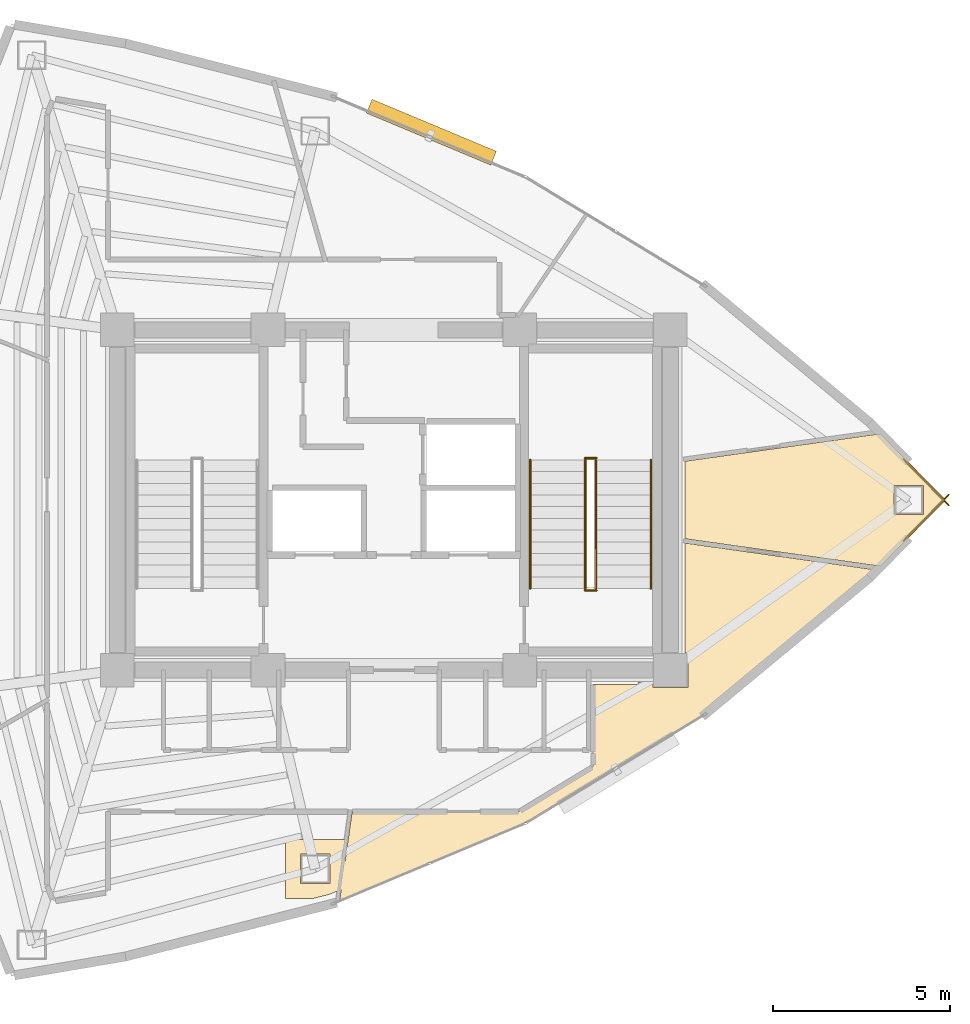
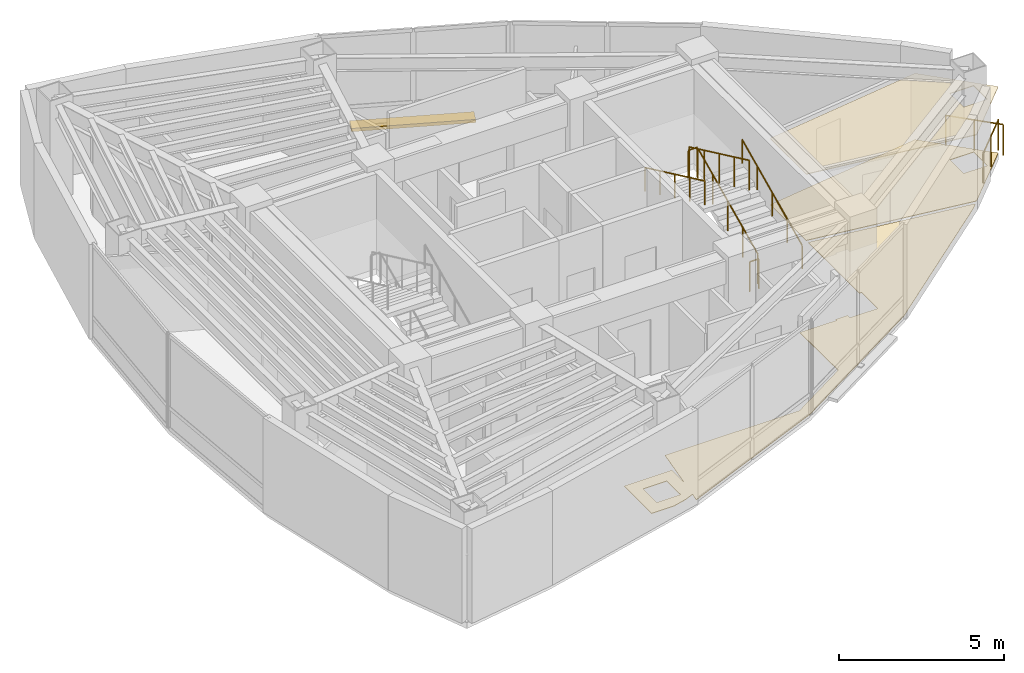
# One storey, part 15 of 15: 8 railings, 3 coverings, 1 shading device.
"""IFC4 building model written with IfcOpenShell, lengths in metres."""

from ifc_helpers import new_model, si_unit, direction, frame, origin, origin_2d, place, context, subcontext, project, spatial, polyline, rectangle, circle, outline, extrude, material, layer, layer_set, type_object, element, save


model = new_model("IFC4")

# Units and contexts
model_context = context("Model", 3, precision=1e-05, world=origin(), true_north=direction((0.0, 1.0)))
body_context = subcontext(model_context, "Body", "Model", "MODEL_VIEW")
ifc_project = project(units=[si_unit("LENGTHUNIT", "METRE"), si_unit("AREAUNIT", "SQUARE_METRE"), si_unit("VOLUMEUNIT", "CUBIC_METRE"), si_unit("PLANEANGLEUNIT", "RADIAN"), si_unit("MASSUNIT", "GRAM", prefix="KILO")], contexts=[model_context])

# Site, building, storey
site_placement = place(None, origin())
site = spatial("IfcSite", under=ifc_project, at=site_placement, CompositionType="ELEMENT")
building_placement = place(site_placement, origin())
building = spatial("IfcBuilding", under=site, at=building_placement, Name="Menara Vayukalpa", CompositionType="ELEMENT")
storey_placement = place(building_placement, frame((0.0, 0.0, 284.340087890625)))
storey = spatial("IfcBuildingStorey", under=building, at=storey_placement, Name="L72", CompositionType="ELEMENT", Elevation=284.340087890625)

# Coverings
ifc_material_1 = material(Name="Mineral Fibre Acoustic Ceiling Tile", Category="masonry")
ifc_layer_1 = layer(ifc_material_1, 0.02490234375)
ifc_layer_set_1 = layer_set([ifc_layer_1], Name="Mineral Fibre Acoustic Ceiling Tile")
covering_type_1 = type_object("IfcCoveringType", Name="COV-CLG1", PredefinedType="CEILING", material=ifc_layer_set_1)
covering_1_placement = place(storey_placement, frame((0.0, 0.0, 2.449951171875)))
element("IfcCovering", 1, at=covering_1_placement, inside=storey, type_object=covering_type_1, Name="L72 Corporate Training Classroom Acoustic Ceiling", PredefinedType="CEILING", context=body_context, shape_type="SweptSolid", body=[
    extrude(outline(polyline([(41.15234375, 22.005615234375), (41.152587890625, 22.004638671875), (41.1533203125, 22.00390625), (41.153564453125, 22.0029296875), (41.15380859375, 22.001953125), (41.15380859375, 22.0009765625), (41.15380859375, 22.0), (41.15380859375, 21.9990234375), (41.15380859375, 21.998046875), (41.153564453125, 21.9970703125), (41.1533203125, 21.99609375), (41.152587890625, 21.995361328125), (41.15234375, 21.994384765625), (41.151611328125, 21.99365234375), (41.15087890625, 21.992919921875), (39.326171875, 20.13427734375), (39.325439453125, 20.133544921875), (39.32470703125, 20.133056640625), (39.32373046875, 20.132568359375), (39.322998046875, 20.132080078125), (39.322021484375, 20.1318359375), (39.321044921875, 20.131591796875), (39.320068359375, 20.13134765625), (39.319091796875, 20.13134765625), (39.318115234375, 20.13134765625), (39.317138671875, 20.131591796875), (39.316162109375, 20.131591796875), (39.310302734375, 20.133544921875), (39.30419921875, 20.134521484375), (33.818603515625, 20.905517578125), (33.817626953125, 20.90576171875), (33.81689453125, 20.906005859375), (33.81591796875, 20.90625), (33.81494140625, 20.90673828125), (33.814208984375, 20.9072265625), (33.8134765625, 20.90771484375), (33.812744140625, 20.908447265625), (33.81201171875, 20.9091796875), (33.8115234375, 20.909912109375), (33.81103515625, 20.910888671875), (33.810791015625, 20.91162109375), (33.810302734375, 20.91259765625), (33.810302734375, 20.91357421875), (33.81005859375, 20.914306640625), (33.81005859375, 20.915283203125), (33.81005859375, 23.084716796875), (33.81005859375, 23.085693359375), (33.810302734375, 23.08642578125), (33.810302734375, 23.08740234375), (33.810791015625, 23.08837890625), (33.81103515625, 23.089111328125), (33.8115234375, 23.090087890625), (33.81201171875, 23.0908203125), (33.812744140625, 23.091552734375), (33.8134765625, 23.09228515625), (33.814208984375, 23.0927734375), (33.81494140625, 23.09326171875), (33.81591796875, 23.09375), (33.81689453125, 23.093994140625), (33.817626953125, 23.09423828125), (33.818603515625, 23.094482421875), (39.30419921875, 23.865478515625), (39.310302734375, 23.866455078125), (39.316162109375, 23.868408203125), (39.317138671875, 23.868408203125), (39.318115234375, 23.86865234375), (39.319091796875, 23.86865234375), (39.320068359375, 23.86865234375), (39.321044921875, 23.868408203125), (39.322021484375, 23.8681640625), (39.322998046875, 23.867919921875), (39.32373046875, 23.867431640625), (39.32470703125, 23.866943359375), (39.325439453125, 23.866455078125), (39.326171875, 23.86572265625), (41.15087890625, 22.007080078125), (41.151611328125, 22.00634765625), (41.15234375, 22.005615234375)]), holes=[polyline([(40.536865234375, 22.4150390625), (39.706787109375, 22.4150390625), (39.706787109375, 21.5849609375), (40.536865234375, 21.5849609375), (40.536865234375, 22.4150390625)])]), origin(), (0.0, 0.0, 1.0), 0.02490234375),
])
ifc_material_2 = material(Name="Porcelain Stoneware Floor Tile", Category="masonry")
ifc_layer_2 = layer(ifc_material_2, 0.02001953125)
ifc_layer_set_2 = layer_set([ifc_layer_2], Name="Porcelain Stoneware Floor Tile")
covering_type_2 = type_object("IfcCoveringType", Name="COV-FLR1", PredefinedType="FLOORING", material=ifc_layer_set_2)
covering_2_placement = place(storey_placement, origin())
element("IfcCovering", 2, at=covering_2_placement, inside=storey, type_object=covering_type_2, Name="L72 Corporate Training Classroom Porcelain Flooring", PredefinedType="FLOORING", context=body_context, shape_type="SweptSolid", body=[
    extrude(outline(polyline([(24.216796875, 12.43017578125), (24.216796875, 11.727783203125), (24.42529296875, 13.21142578125), (24.425537109375, 13.21240234375), (24.42578125, 13.213134765625), (24.42626953125, 13.214111328125), (24.426513671875, 13.215087890625), (24.427001953125, 13.2158203125), (24.427734375, 13.216552734375), (24.428466796875, 13.21728515625), (24.42919921875, 13.218017578125), (24.429931640625, 13.218505859375), (24.4306640625, 13.218994140625), (24.431640625, 13.21923828125), (24.4326171875, 13.219482421875), (24.433349609375, 13.2197265625), (24.434326171875, 13.219970703125), (24.435302734375, 13.219970703125), (29.109619140625, 13.219970703125), (29.11669921875, 13.220458984375), (29.12353515625, 13.221435546875), (29.13037109375, 13.22314453125), (29.13720703125, 13.2255859375), (29.153076171875, 13.232177734375), (29.157958984375, 13.234375), (29.16259765625, 13.237060546875), (31.18603515625, 14.46630859375), (31.1923828125, 14.470458984375), (31.19775390625, 14.47509765625), (31.20263671875, 14.480224609375), (31.20703125, 14.48583984375), (31.2109375, 14.491943359375), (31.214111328125, 14.498291015625), (31.216552734375, 14.5048828125), (31.218505859375, 14.511962890625), (31.219482421875, 14.51904296875), (31.219970703125, 14.5263671875), (31.219970703125, 14.849609375), (31.219482421875, 14.856689453125), (31.21875, 14.86376953125), (31.217041015625, 14.870361328125), (31.214599609375, 14.876708984375), (31.2119140625, 14.8828125), (31.211669921875, 14.883056640625), (31.211181640625, 14.8837890625), (31.210693359375, 14.884765625), (31.21044921875, 14.8857421875), (31.210205078125, 14.88671875), (31.2099609375, 14.8876953125), (31.2099609375, 14.888671875), (31.2099609375, 16.780029296875), (31.2099609375, 16.781005859375), (31.210205078125, 16.781982421875), (31.21044921875, 16.782958984375), (31.210693359375, 16.78369140625), (31.211181640625, 16.78466796875), (31.211669921875, 16.78564453125), (31.21240234375, 16.786376953125), (31.212890625, 16.787109375), (31.213623046875, 16.78759765625), (31.21435546875, 16.788330078125), (31.21533203125, 16.788818359375), (31.21630859375, 16.789306640625), (31.217041015625, 16.78955078125), (31.218017578125, 16.789794921875), (31.218994140625, 16.7900390625), (31.219970703125, 16.7900390625), (32.489990234375, 16.7900390625), (32.489990234375, 16.85009765625), (32.909912109375, 16.85009765625), (32.909912109375, 16.7099609375), (33.889892578125, 16.7099609375), (33.889892578125, 17.68994140625), (33.81005859375, 17.68994140625), (33.81005859375, 20.774169921875), (33.81005859375, 20.775146484375), (33.810302734375, 20.776123046875), (33.810546875, 20.777099609375), (33.810791015625, 20.778076171875), (33.811279296875, 20.77880859375), (33.811767578125, 20.77978515625), (33.8125, 20.780517578125), (33.81298828125, 20.78125), (33.813720703125, 20.781982421875), (33.814697265625, 20.782470703125), (33.8154296875, 20.782958984375), (33.81640625, 20.783447265625), (33.8173828125, 20.78369140625), (33.818359375, 20.783935546875), (33.8193359375, 20.7841796875), (33.8203125, 20.7841796875), (33.8212890625, 20.783935546875), (39.19970703125, 20.028076171875), (39.20068359375, 20.02783203125), (39.201416015625, 20.027587890625), (39.202392578125, 20.027099609375), (39.203369140625, 20.02685546875), (39.2041015625, 20.026123046875), (39.205078125, 20.025634765625), (39.205810546875, 20.02490234375), (39.206298828125, 20.024169921875), (39.206787109375, 20.023193359375), (39.207275390625, 20.022216796875), (39.207763671875, 20.021484375), (39.2080078125, 20.0205078125), (39.2080078125, 20.01953125), (39.208251953125, 20.0185546875), (39.208251953125, 20.017578125), (39.2080078125, 20.0166015625), (39.207763671875, 20.015380859375), (39.20751953125, 20.014404296875), (39.20703125, 20.013671875), (39.20654296875, 20.0126953125), (39.2060546875, 20.011962890625), (39.205322265625, 20.01123046875), (39.021240234375, 19.82373046875), (39.0205078125, 19.822998046875), (34.374755859375, 15.97021484375), (34.37353515625, 15.969482421875), (29.3271484375, 12.904052734375), (29.326416015625, 12.90380859375), (29.32568359375, 12.9033203125), (24.089599609375, 10.713134765625), (24.088623046875, 10.712646484375), (24.087646484375, 10.71240234375), (24.086669921875, 10.71240234375), (24.085693359375, 10.71240234375), (24.084716796875, 10.71240234375), (24.083740234375, 10.71240234375), (24.082763671875, 10.712890625), (24.081787109375, 10.713134765625), (24.080810546875, 10.713623046875), (24.080078125, 10.714111328125), (24.0791015625, 10.714599609375), (24.07861328125, 10.71533203125), (24.077880859375, 10.716064453125), (24.0771484375, 10.717041015625), (24.07666015625, 10.7177734375), (24.076416015625, 10.71875), (24.075927734375, 10.7197265625), (24.07568359375, 10.720703125), (24.07568359375, 10.7216796875), (24.07568359375, 10.72265625), (24.07568359375, 10.7236328125), (24.116943359375, 11.01708984375), (23.7919921875, 10.881103515625), (23.3173828125, 10.76025390625), (22.546875, 10.76025390625), (22.546875, 12.43017578125), (24.216796875, 12.43017578125)]), holes=[polyline([(23.796875, 12.01025390625), (22.966796875, 12.01025390625), (22.966796875, 11.18017578125), (23.796875, 11.18017578125), (23.796875, 12.01025390625)])]), origin(), (0.0, 0.0, 1.0), 0.02001953125),
])
covering_3_placement = place(storey_placement, origin())
element("IfcCovering", 3, at=covering_3_placement, inside=storey, type_object=covering_type_2, Name="L72 Corporate Training Classroom Porcelain Flooring", PredefinedType="FLOORING", context=body_context, shape_type="SweptSolid", body=[
    extrude(outline(polyline([(41.15234375, 22.005615234375), (41.152587890625, 22.004638671875), (41.1533203125, 22.00390625), (41.153564453125, 22.0029296875), (41.15380859375, 22.001953125), (41.15380859375, 22.0009765625), (41.15380859375, 22.0), (41.15380859375, 21.9990234375), (41.15380859375, 21.998046875), (41.153564453125, 21.9970703125), (41.1533203125, 21.99609375), (41.152587890625, 21.995361328125), (41.15234375, 21.994384765625), (41.151611328125, 21.99365234375), (41.15087890625, 21.992919921875), (39.326171875, 20.13427734375), (39.325439453125, 20.133544921875), (39.32470703125, 20.133056640625), (39.32373046875, 20.132568359375), (39.322998046875, 20.132080078125), (39.322021484375, 20.1318359375), (39.321044921875, 20.131591796875), (39.320068359375, 20.13134765625), (39.319091796875, 20.13134765625), (39.318115234375, 20.13134765625), (39.317138671875, 20.131591796875), (39.316162109375, 20.131591796875), (39.310302734375, 20.133544921875), (39.30419921875, 20.134521484375), (33.818603515625, 20.905517578125), (33.817626953125, 20.90576171875), (33.81689453125, 20.906005859375), (33.81591796875, 20.90625), (33.81494140625, 20.90673828125), (33.814208984375, 20.9072265625), (33.8134765625, 20.90771484375), (33.812744140625, 20.908447265625), (33.81201171875, 20.9091796875), (33.8115234375, 20.909912109375), (33.81103515625, 20.910888671875), (33.810791015625, 20.91162109375), (33.810302734375, 20.91259765625), (33.810302734375, 20.91357421875), (33.81005859375, 20.914306640625), (33.81005859375, 20.915283203125), (33.81005859375, 23.084716796875), (33.81005859375, 23.085693359375), (33.810302734375, 23.08642578125), (33.810302734375, 23.08740234375), (33.810791015625, 23.08837890625), (33.81103515625, 23.089111328125), (33.8115234375, 23.090087890625), (33.81201171875, 23.0908203125), (33.812744140625, 23.091552734375), (33.8134765625, 23.09228515625), (33.814208984375, 23.0927734375), (33.81494140625, 23.09326171875), (33.81591796875, 23.09375), (33.81689453125, 23.093994140625), (33.817626953125, 23.09423828125), (33.818603515625, 23.094482421875), (39.30419921875, 23.865478515625), (39.310302734375, 23.866455078125), (39.316162109375, 23.868408203125), (39.317138671875, 23.868408203125), (39.318115234375, 23.86865234375), (39.319091796875, 23.86865234375), (39.320068359375, 23.86865234375), (39.321044921875, 23.868408203125), (39.322021484375, 23.8681640625), (39.322998046875, 23.867919921875), (39.32373046875, 23.867431640625), (39.32470703125, 23.866943359375), (39.325439453125, 23.866455078125), (39.326171875, 23.86572265625), (41.15087890625, 22.007080078125), (41.151611328125, 22.00634765625), (41.15234375, 22.005615234375)]), holes=[polyline([(40.536865234375, 22.4150390625), (39.706787109375, 22.4150390625), (39.706787109375, 21.5849609375), (40.536865234375, 21.5849609375), (40.536865234375, 22.4150390625)])]), origin(), (0.0, 0.0, 1.0), 0.02001953125),
])

# Railings
ifc_material_3 = material(Name="Laminated Glass and Stainless Steel 316 Guardrail", Category="steel")
railing_type_1 = type_object("IfcRailingType", Name="RLG-EXT115", PredefinedType="GUARDRAIL", material=ifc_material_3)
railing_1_placement = place(storey_placement, frame((39.976318359375, 20.853515625, 0.0)))
element("IfcRailing", 4, at=railing_1_placement, inside=storey, type_object=railing_type_1, Name="L72 Column Corner Spandrel Guardrail 01-1", PredefinedType="GUARDRAIL", context=body_context, shape_type="SweptSolid", body=[
    extrude(circle(Radius=0.02392578125, at=origin_2d()), frame((0.0, 0.0, 1.1259765625), z_axis=(0.700555224103, 0.713598190848, 0.0), x_axis=(-0.713598190848, 0.700555224103, 0.0)), (0.0, 0.0, 1.0), 1.815673828125),
    extrude(circle(Radius=0.02099609375, at=origin_2d()), origin(), (0.0, 0.0, 1.0), 1.101806640625),
    extrude(circle(Radius=0.02099609375, at=origin_2d()), frame((0.635986328125, 0.64794921875, 0.0)), (0.0, 0.0, 1.0), 1.101806640625),
    extrude(circle(Radius=0.02099609375, at=origin_2d()), frame((1.27197265625, 1.295654296875, 0.0)), (0.0, 0.0, 1.0), 1.101806640625),
])
railing_2_placement = place(storey_placement, frame((41.248291015625, 21.850830078125, 0.0)))
element("IfcRailing", 5, at=railing_2_placement, inside=storey, type_object=railing_type_1, Name="L72 Column Corner Spandrel Guardrail 02-1", PredefinedType="GUARDRAIL", context=body_context, shape_type="SweptSolid", body=[
    extrude(circle(Radius=0.02392578125, at=origin_2d()), frame((0.0, 0.0, 1.1259765625), z_axis=(-0.700555224103, 0.713598190848, 0.0), x_axis=(-0.713598190848, -0.700555224103, 0.0)), (0.0, 0.0, 1.0), 1.815673828125),
    extrude(circle(Radius=0.02099609375, at=origin_2d()), origin(), (0.0, 0.0, 1.0), 1.101806640625),
    extrude(circle(Radius=0.02099609375, at=origin_2d()), frame((-0.635986328125, 0.64794921875, 0.0)), (0.0, 0.0, 1.0), 1.101806640625),
    extrude(circle(Radius=0.02099609375, at=origin_2d()), frame((-1.27197265625, 1.295654296875, 0.0)), (0.0, 0.0, 1.0), 1.101806640625),
])
ifc_material_4 = material(Name="Powder-Coated Galvanised Steel Guardrail", Category="steel")
railing_type_2 = type_object("IfcRailingType", Name="RLG-STG110", PredefinedType="GUARDRAIL", material=ifc_material_4)
railing_3_placement = place(storey_placement, frame((31.300048828125, 19.5, 0.155029296875)))
element("IfcRailing", 6, at=railing_3_placement, inside=storey, type_object=railing_type_2, Name="L72 ST-2 stair guard 1", PredefinedType="GUARDRAIL", context=body_context, shape_type="SweptSolid", body=[
    extrude(circle(Radius=0.02392578125, at=origin_2d()), frame((0.0, 0.0, 1.09619140625), z_axis=(0.0, 0.90513990983, 0.425113800803), x_axis=(-1.0, 0.0, 0.0)), (0.0, 0.0, 1.0), 4.01025390625),
    extrude(circle(Radius=0.02099609375, at=origin_2d()), origin(), (0.0, 0.0, 1.0), 1.072021484375),
    extrude(circle(Radius=0.02099609375, at=origin_2d()), frame((0.0, 0.907470703125, 0.42626953125)), (0.0, 0.0, 1.0), 1.072021484375),
    extrude(circle(Radius=0.02099609375, at=origin_2d()), frame((0.0, 1.81494140625, 0.8525390625)), (0.0, 0.0, 1.0), 1.072021484375),
    extrude(circle(Radius=0.02099609375, at=origin_2d()), frame((0.0, 2.722412109375, 1.278564453125)), (0.0, 0.0, 1.0), 1.072021484375),
    extrude(circle(Radius=0.02099609375, at=origin_2d()), frame((0.0, 3.6298828125, 1.704833984375)), (0.0, 0.0, 1.0), 1.072021484375),
])
railing_4_placement = place(storey_placement, frame((31.31005859375, 23.179931640625, 1.85986328125)))
element("IfcRailing", 7, at=railing_4_placement, inside=storey, type_object=railing_type_2, Name="L72 ST-2 stair guard 2", PredefinedType="GUARDRAIL", context=body_context, shape_type="SweptSolid", body=[
    extrude(circle(Radius=0.02392578125, at=origin_2d()), frame((0.0, 0.0, 1.09619140625), z_axis=(-1.0, 0.0, 0.0), x_axis=(0.0, -1.0, 0.0)), (0.0, 0.0, 1.0), 0.320068359375),
    extrude(circle(Radius=0.02099609375, at=origin_2d()), origin(), (0.0, 0.0, 1.0), 1.072021484375),
    extrude(circle(Radius=0.02099609375, at=origin_2d()), frame((-0.320068359375, 0.0, 0.0)), (0.0, 0.0, 1.0), 1.072021484375),
])
railing_5_placement = place(storey_placement, frame((31.0, 23.1298828125, 2.014892578125)))
element("IfcRailing", 8, at=railing_5_placement, inside=storey, type_object=railing_type_2, Name="L72 ST-2 stair guard 3", PredefinedType="GUARDRAIL", context=body_context, shape_type="SweptSolid", body=[
    extrude(circle(Radius=0.02392578125, at=origin_2d()), frame((0.0, 0.0, 1.09619140625), z_axis=(0.0, -0.90511648382, 0.425163675209), x_axis=(1.0, 0.0, 0.0)), (0.0, 0.0, 1.0), 4.010498046875),
    extrude(circle(Radius=0.02099609375, at=origin_2d()), origin(), (0.0, 0.0, 1.0), 1.072021484375),
    extrude(circle(Radius=0.02099609375, at=origin_2d()), frame((0.0, -0.907470703125, 0.42626953125)), (0.0, 0.0, 1.0), 1.072021484375),
    extrude(circle(Radius=0.02099609375, at=origin_2d()), frame((0.0, -1.81494140625, 0.8525390625)), (0.0, 0.0, 1.0), 1.072021484375),
    extrude(circle(Radius=0.02099609375, at=origin_2d()), frame((0.0, -2.722412109375, 1.27880859375)), (0.0, 0.0, 1.0), 1.072021484375),
    extrude(circle(Radius=0.02099609375, at=origin_2d()), frame((0.0, -3.6298828125, 1.705078125)), (0.0, 0.0, 1.0), 1.072021484375),
])
railing_6_placement = place(storey_placement, frame((31.31005859375, 19.449951171875, 0.0)))
element("IfcRailing", 9, at=railing_6_placement, inside=storey, type_object=railing_type_2, Name="L72 ST-2 stair guard 4", PredefinedType="GUARDRAIL", context=body_context, shape_type="SweptSolid", body=[
    extrude(circle(Radius=0.02392578125, at=origin_2d()), frame((0.0, 0.0, 1.09619140625), z_axis=(-1.0, 0.0, 0.0), x_axis=(0.0, -1.0, 0.0)), (0.0, 0.0, 1.0), 0.320068359375),
    extrude(circle(Radius=0.02099609375, at=origin_2d()), origin(), (0.0, 0.0, 1.0), 1.072021484375),
    extrude(circle(Radius=0.02099609375, at=origin_2d()), frame((-0.320068359375, 0.0, 0.0)), (0.0, 0.0, 1.0), 1.072021484375),
])
ifc_material_5 = material(Name="Stainless Steel 316 Tubular Handrail", Category="steel")
railing_type_3 = type_object("IfcRailingType", Name="RLG-STH090", PredefinedType="HANDRAIL", material=ifc_material_5)
railing_7_placement = place(storey_placement, frame((32.85009765625, 19.5, 0.155029296875)))
element("IfcRailing", 10, at=railing_7_placement, inside=storey, type_object=railing_type_3, Name="L72 ST-2 stair handrail 1", PredefinedType="HANDRAIL", context=body_context, shape_type="SweptSolid", body=[
    extrude(circle(Radius=0.02392578125, at=origin_2d()), frame((0.0, 0.0, 0.8759765625), z_axis=(0.0, 0.90513990983, 0.425113800803), x_axis=(-1.0, 0.0, 0.0)), (0.0, 0.0, 1.0), 4.01025390625),
    extrude(circle(Radius=0.02099609375, at=origin_2d()), origin(), (0.0, 0.0, 1.0), 0.851806640625),
    extrude(circle(Radius=0.02099609375, at=origin_2d()), frame((0.0, 0.907470703125, 0.42626953125)), (0.0, 0.0, 1.0), 0.851806640625),
    extrude(circle(Radius=0.02099609375, at=origin_2d()), frame((0.0, 1.81494140625, 0.8525390625)), (0.0, 0.0, 1.0), 0.851806640625),
    extrude(circle(Radius=0.02099609375, at=origin_2d()), frame((0.0, 2.722412109375, 1.278564453125)), (0.0, 0.0, 1.0), 0.851806640625),
    extrude(circle(Radius=0.02099609375, at=origin_2d()), frame((0.0, 3.6298828125, 1.704833984375)), (0.0, 0.0, 1.0), 0.851806640625),
])
railing_8_placement = place(storey_placement, frame((29.449951171875, 23.1298828125, 2.014892578125)))
element("IfcRailing", 11, at=railing_8_placement, inside=storey, type_object=railing_type_3, Name="L72 ST-2 stair handrail 2", PredefinedType="HANDRAIL", context=body_context, shape_type="SweptSolid", body=[
    extrude(circle(Radius=0.02392578125, at=origin_2d()), frame((0.0, 0.0, 0.8759765625), z_axis=(0.0, -0.90511648382, 0.425163675209), x_axis=(1.0, 0.0, 0.0)), (0.0, 0.0, 1.0), 4.010498046875),
    extrude(circle(Radius=0.02099609375, at=origin_2d()), origin(), (0.0, 0.0, 1.0), 0.851806640625),
    extrude(circle(Radius=0.02099609375, at=origin_2d()), frame((0.0, -0.907470703125, 0.42626953125)), (0.0, 0.0, 1.0), 0.851806640625),
    extrude(circle(Radius=0.02099609375, at=origin_2d()), frame((0.0, -1.81494140625, 0.8525390625)), (0.0, 0.0, 1.0), 0.851806640625),
    extrude(circle(Radius=0.02099609375, at=origin_2d()), frame((0.0, -2.722412109375, 1.27880859375)), (0.0, 0.0, 1.0), 0.851806640625),
    extrude(circle(Radius=0.02099609375, at=origin_2d()), frame((0.0, -3.6298828125, 1.705078125)), (0.0, 0.0, 1.0), 0.851806640625),
])

# Shading device
ifc_material_6 = material(Name="Glazed Terracotta Ceramic Baguette Extrusion", Category="masonry")
ifc_layer_3 = layer(ifc_material_6, 0.1201171875)
ifc_layer_set_3 = layer_set([ifc_layer_3], Name="Glazed Terracotta Ceramic Baguette Extrusion")
shading_device_type = type_object("IfcShadingDeviceType", Name="SHD-SS1", PredefinedType="USERDEFINED", material=ifc_layer_set_3)
shading_device_placement = place(storey_placement, frame((26.66015625, 32.374267578125, -0.10009765625), z_axis=(0.0, 0.0, 1.0), x_axis=(-0.922538089456, 0.385906042324, 0.0)))
element("IfcShadingDevice", 12, at=shading_device_placement, inside=storey, type_object=shading_device_type, Name="L72 Horizontal Terracotta Sunshade Band 05", ObjectType="SUNSHADE", PredefinedType="USERDEFINED", context=body_context, shape_type="SweptSolid", body=[
    extrude(rectangle(XDim=3.800048828125, YDim=0.419921875, at=origin_2d()), origin(), (0.0, 0.0, 1.0), 0.1201171875),
])

save(model, "model.ifc")
